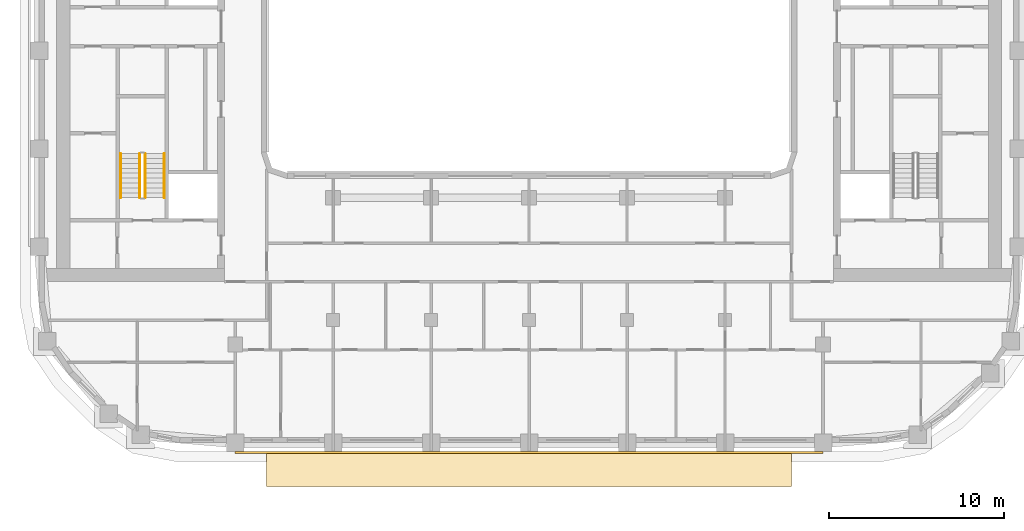
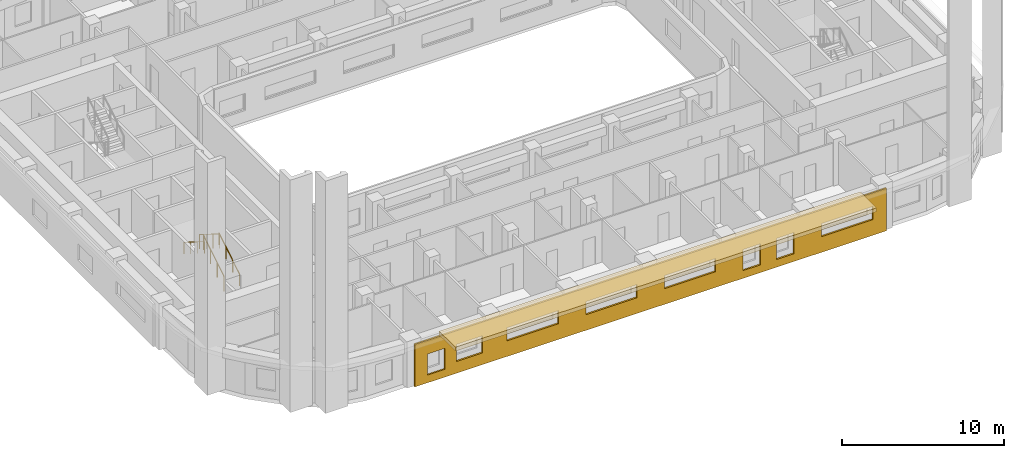
# One storey, part 12 of 22: 4 railings, 2 coverings.
"""IFC4 building model written with IfcOpenShell, lengths in metres."""

from ifc_helpers import new_model, si_unit, direction, frame, origin, origin_2d, place, context, subcontext, project, spatial, polyline, circle, outline, extrude, material, layer, layer_set, type_object, element, save


model = new_model("IFC4")

# Units and contexts
model_context = context("Model", 3, precision=1e-05, world=origin(), true_north=direction((0.0, 1.0)))
body_context = subcontext(model_context, "Body", "Model", "MODEL_VIEW")
ifc_project = project(units=[si_unit("LENGTHUNIT", "METRE"), si_unit("AREAUNIT", "SQUARE_METRE"), si_unit("VOLUMEUNIT", "CUBIC_METRE"), si_unit("PLANEANGLEUNIT", "RADIAN"), si_unit("MASSUNIT", "GRAM", prefix="KILO")], contexts=[model_context])

# Site, building, storey
site_placement = place(None, origin())
site = spatial("IfcSite", under=ifc_project, at=site_placement, CompositionType="ELEMENT")
building_placement = place(site_placement, origin())
building = spatial("IfcBuilding", under=site, at=building_placement, Name="Kiln Ring Residences", CompositionType="ELEMENT")
storey_placement = place(building_placement, frame((0.0, 0.0, 160.60009765625)))
storey = spatial("IfcBuildingStorey", under=building, at=storey_placement, Name="L41", CompositionType="ELEMENT", Elevation=160.60009765625)

# Railings
ifc_material_1 = material(Name="Stainless steel", Category="steel")
railing_type_1 = type_object("IfcRailingType", Name="CORE-STAIR-GUARD", PredefinedType="GUARDRAIL", material=ifc_material_1)
railing_1_placement = place(storey_placement, frame((-21.949951171875, -8.39990234375, 0.1748046875)))
element("IfcRailing", 1, at=railing_1_placement, inside=storey, type_object=railing_type_1, Name="L41 W-STS stair guard 1", PredefinedType="GUARDRAIL", context=body_context, shape_type="SweptSolid", body=[
    extrude(circle(Radius=0.02392578125, at=origin_2d()), frame((0.0, 0.0, 1.076171875), z_axis=(0.0, 0.847970611238, 0.530043245855), x_axis=(-1.0, 0.0, 0.0)), (0.0, 0.0, 1.0), 2.971923828125),
    extrude(circle(Radius=0.02099609375, at=origin_2d()), origin(), (0.0, 0.0, 1.0), 1.052001953125),
    extrude(circle(Radius=0.02099609375, at=origin_2d()), frame((0.0, 0.840087890625, 0.525146484375)), (0.0, 0.0, 1.0), 1.052001953125),
    extrude(circle(Radius=0.02099609375, at=origin_2d()), frame((0.0, 1.679931640625, 1.050048828125)), (0.0, 0.0, 1.0), 1.052001953125),
    extrude(circle(Radius=0.02099609375, at=origin_2d()), frame((0.0, 2.52001953125, 1.5751953125)), (0.0, 0.0, 1.0), 1.052001953125),
])
railing_2_placement = place(storey_placement, frame((-22.25, -5.8798828125, 1.9248046875)))
element("IfcRailing", 2, at=railing_2_placement, inside=storey, type_object=railing_type_1, Name="L41 W-STS stair guard 3", PredefinedType="GUARDRAIL", context=body_context, shape_type="SweptSolid", body=[
    extrude(circle(Radius=0.02392578125, at=origin_2d()), frame((0.0, 0.0, 1.076171875), z_axis=(0.0, -0.847970611238, 0.530043245855), x_axis=(1.0, 0.0, 0.0)), (0.0, 0.0, 1.0), 2.971923828125),
    extrude(circle(Radius=0.02099609375, at=origin_2d()), origin(), (0.0, 0.0, 1.0), 1.052001953125),
    extrude(circle(Radius=0.02099609375, at=origin_2d()), frame((0.0, -0.840087890625, 0.525146484375)), (0.0, 0.0, 1.0), 1.052001953125),
    extrude(circle(Radius=0.02099609375, at=origin_2d()), frame((0.0, -1.679931640625, 1.050048828125)), (0.0, 0.0, 1.0), 1.052001953125),
    extrude(circle(Radius=0.02099609375, at=origin_2d()), frame((0.0, -2.52001953125, 1.5751953125)), (0.0, 0.0, 1.0), 1.052001953125),
])
ifc_material_2 = material(Name="Stainless steel", Category="steel")
railing_type_2 = type_object("IfcRailingType", Name="CORE-STAIR-HANDRAIL", PredefinedType="HANDRAIL", material=ifc_material_2)
railing_3_placement = place(storey_placement, frame((-20.85009765625, -8.39990234375, 0.1748046875)))
element("IfcRailing", 3, at=railing_3_placement, inside=storey, type_object=railing_type_2, Name="L41 W-STS stair handrail 1", PredefinedType="HANDRAIL", context=body_context, shape_type="SweptSolid", body=[
    extrude(circle(Radius=0.02392578125, at=origin_2d()), frame((0.0, 0.0, 0.8759765625), z_axis=(0.0, 0.847970611238, 0.530043245855), x_axis=(-1.0, 0.0, 0.0)), (0.0, 0.0, 1.0), 2.971923828125),
    extrude(circle(Radius=0.02099609375, at=origin_2d()), origin(), (0.0, 0.0, 1.0), 0.851806640625),
    extrude(circle(Radius=0.02099609375, at=origin_2d()), frame((0.0, 0.840087890625, 0.525146484375)), (0.0, 0.0, 1.0), 0.851806640625),
    extrude(circle(Radius=0.02099609375, at=origin_2d()), frame((0.0, 1.679931640625, 1.050048828125)), (0.0, 0.0, 1.0), 0.851806640625),
    extrude(circle(Radius=0.02099609375, at=origin_2d()), frame((0.0, 2.52001953125, 1.5751953125)), (0.0, 0.0, 1.0), 0.851806640625),
])
railing_4_placement = place(storey_placement, frame((-23.35009765625, -5.8798828125, 1.9248046875)))
element("IfcRailing", 4, at=railing_4_placement, inside=storey, type_object=railing_type_2, Name="L41 W-STS stair handrail 2", PredefinedType="HANDRAIL", context=body_context, shape_type="SweptSolid", body=[
    extrude(circle(Radius=0.02392578125, at=origin_2d()), frame((0.0, 0.0, 0.8759765625), z_axis=(0.0, -0.847970611238, 0.530043245855), x_axis=(1.0, 0.0, 0.0)), (0.0, 0.0, 1.0), 2.971923828125),
    extrude(circle(Radius=0.02099609375, at=origin_2d()), origin(), (0.0, 0.0, 1.0), 0.851806640625),
    extrude(circle(Radius=0.02099609375, at=origin_2d()), frame((0.0, -0.840087890625, 0.525146484375)), (0.0, 0.0, 1.0), 0.851806640625),
    extrude(circle(Radius=0.02099609375, at=origin_2d()), frame((0.0, -1.679931640625, 1.050048828125)), (0.0, 0.0, 1.0), 0.851806640625),
    extrude(circle(Radius=0.02099609375, at=origin_2d()), frame((0.0, -2.52001953125, 1.5751953125)), (0.0, 0.0, 1.0), 0.851806640625),
])

# Coverings
ifc_material_3 = material(Name="Brick masonry, dark clay brick", Category="masonry")
ifc_layer_1 = layer(ifc_material_3, 0.1201171875)
ifc_layer_set_1 = layer_set([ifc_layer_1], Name="RAINSCREEN PANEL 120")
covering_type_1 = type_object("IfcCoveringType", Name="RAINSCREEN PANEL 120", PredefinedType="CLADDING", material=ifc_layer_set_1)
covering_1_placement = place(storey_placement, frame((-16.800048828125, -22.9599609375, 0.0), z_axis=(0.0, 0.0, 1.0), x_axis=(1.0, 0.0, 0.0)))
element("IfcCovering", 5, at=covering_1_placement, inside=storey, type_object=covering_type_1, Name="RAINSCREEN L41", PredefinedType="CLADDING", context=body_context, shape_type="SweptSolid", body=[
    extrude(outline(polyline([(0.0, 0.0), (33.60009765625, 0.0), (33.60009765625, 3.199951171875), (0.0, 3.199951171875), (0.0, 0.0)]), holes=[polyline([(0.892578125, 0.579833984375), (2.132568359375, 0.579833984375), (2.132568359375, 2.169921875), (0.892578125, 2.169921875), (0.892578125, 0.579833984375)]), polyline([(23.392578125, 0.579833984375), (24.632568359375, 0.579833984375), (24.632568359375, 2.169921875), (23.392578125, 2.169921875), (23.392578125, 0.579833984375)]), polyline([(25.767578125, 0.579833984375), (27.007568359375, 0.579833984375), (27.007568359375, 2.169921875), (25.767578125, 2.169921875), (25.767578125, 0.579833984375)]), polyline([(2.967529296875, 0.8798828125), (4.8076171875, 0.8798828125), (4.8076171875, 2.169921875), (2.967529296875, 2.169921875), (2.967529296875, 0.8798828125)]), polyline([(6.580078125, 1.179931640625), (10.219970703125, 1.179931640625), (10.219970703125, 2.169921875), (6.580078125, 2.169921875), (6.580078125, 1.179931640625)]), polyline([(12.179931640625, 1.179931640625), (15.820068359375, 1.179931640625), (15.820068359375, 2.169921875), (12.179931640625, 2.169921875), (12.179931640625, 1.179931640625)]), polyline([(17.780029296875, 1.179931640625), (21.419921875, 1.179931640625), (21.419921875, 2.169921875), (17.780029296875, 2.169921875), (17.780029296875, 1.179931640625)]), polyline([(28.97998046875, 1.179931640625), (32.6201171875, 1.179931640625), (32.6201171875, 2.169921875), (28.97998046875, 2.169921875), (28.97998046875, 1.179931640625)])]), frame((0.0, 0.06005859375, 0.0), z_axis=(0.0, -1.0, 0.0), x_axis=(1.0, 0.0, 0.0)), (0.0, 0.0, 1.0), 0.1201171875),
])
ifc_material_4 = material(Name="Black powder-coated steel", Category="steel")
ifc_layer_2 = layer(ifc_material_4, 0.300048828125)
ifc_layer_set_2 = layer_set([ifc_layer_2], Name="SUNSHADE BAND 2000")
covering_type_2 = type_object("IfcCoveringType", Name="SUNSHADE BAND 2000", PredefinedType="CLADDING", material=ifc_layer_set_2)
covering_2_placement = place(storey_placement, frame((0.0, 0.0, 3.199951171875)))
element("IfcCovering", 6, at=covering_2_placement, inside=storey, type_object=covering_type_2, Name="SUNSHADE BAND L41", PredefinedType="CLADDING", context=body_context, shape_type="SweptSolid", body=[
    extrude(outline(polyline([(-15.0, -24.89990234375), (15.0, -24.89990234375), (15.0, -22.89990234375), (-15.0, -22.89990234375), (-15.0, -24.89990234375)])), origin(), (0.0, 0.0, 1.0), 0.300048828125),
])

save(model, "model.ifc")
